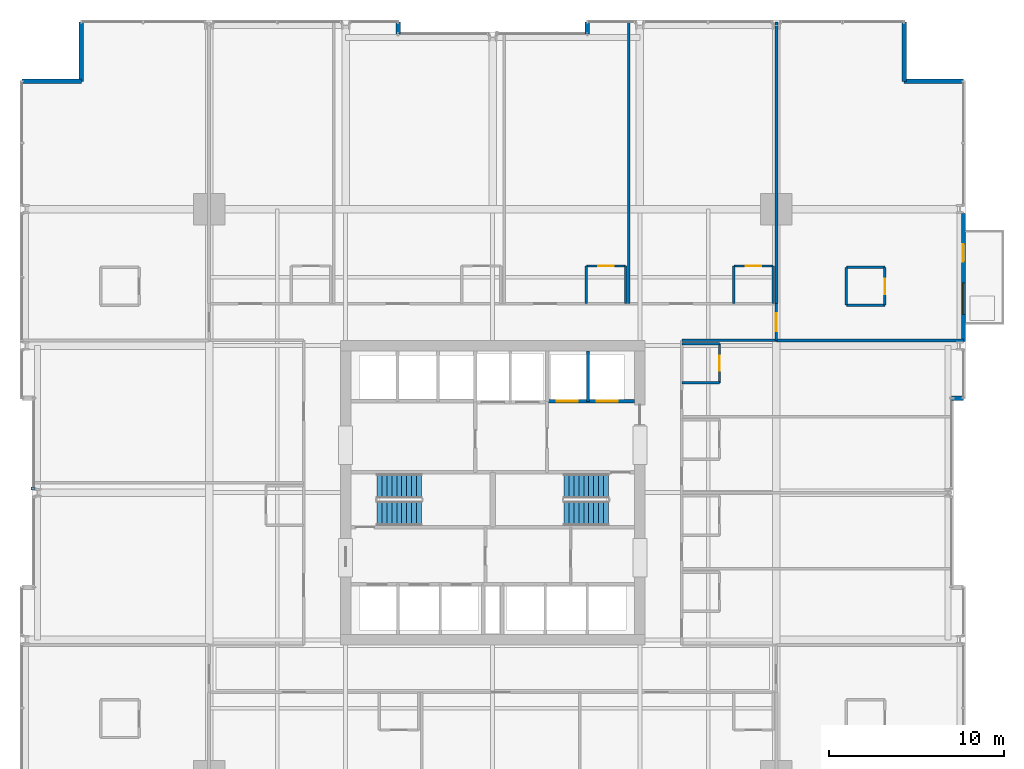
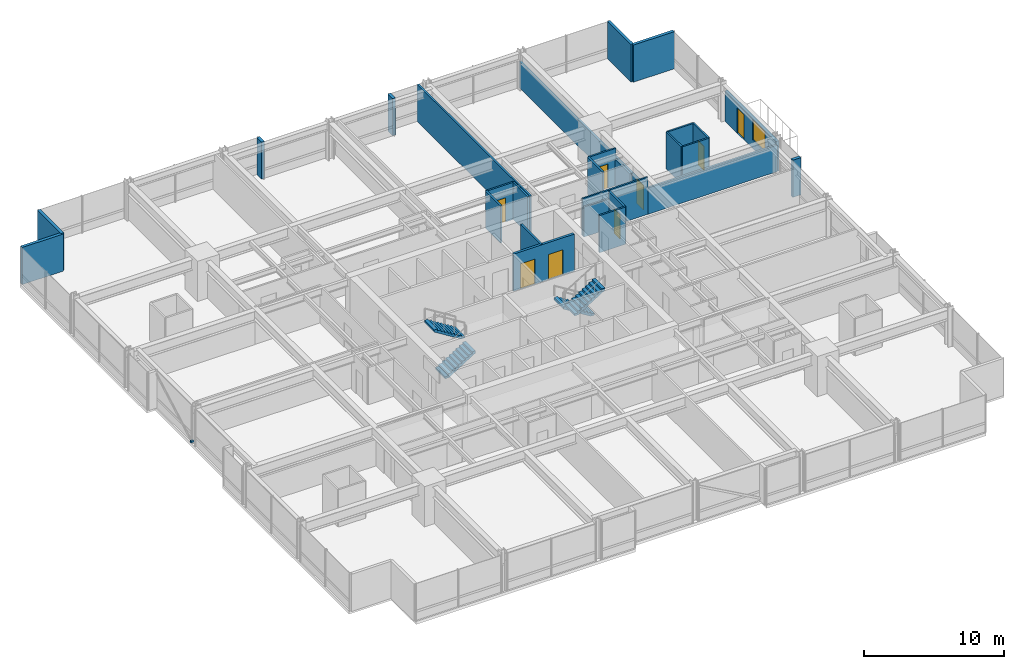
# One storey, part 33 of 37: 28 walls, 8 doors, 4 stair flights, 1 discrete accessory, 1 window, 9 openings, 2 elements without a shape of their own.
"""IFC4 building model written with IfcOpenShell, lengths in metres."""

import ifcopenshell
import ifcopenshell.guid

model = None  # the IFC model being written
_history = None  # IfcOwnerHistory: only IFC2X3 demands one
_inside = {}  # id of a spatial element -> (the spatial element, [elements in it])
_under = {}  # id of a project, library or spatial element -> (it, [spatial elements below it])
_declared = {}  # id of a project -> (the project, [libraries it declares])
_typed = {}  # id of a type object -> (the type object, [elements of that type])
_made_of = {}  # id of a material, layer set ... -> (it, [elements and type objects made of it])


def new_model(schema):
    """Start an empty IFC model of exactly this schema.

    Asked for "IFC4X3", IfcOpenShell would pick the latest addendum, in which some entities
    have other attributes; the version numbers below select the first issue.
    IFC2X3 requires an IfcOwnerHistory on every rooted entity: one is made here for all.
    """
    global model, _history
    if schema == "IFC4X3":
        model = ifcopenshell.file(schema_version=(4, 3, 0, 0))
    else:
        model = ifcopenshell.file(schema=schema)
    _inside.clear()
    _under.clear()
    _declared.clear()
    _typed.clear()
    _made_of.clear()
    _history = None
    if model.schema == "IFC2X3":
        org = make("IfcOrganization", Name="unknown")
        user = make(
            "IfcPersonAndOrganization",
            ThePerson=make("IfcPerson", FamilyName="unknown"),
            TheOrganization=org,
        )
        app = make(
            "IfcApplication",
            ApplicationDeveloper=org,
            Version="unknown",
            ApplicationFullName="unknown",
            ApplicationIdentifier="unknown",
        )
        _history = make(
            "IfcOwnerHistory",
            OwningUser=user,
            OwningApplication=app,
            ChangeAction="ADDED",
            CreationDate=0,
        )
    return model


def make(cls, **values):
    """One entity of the class cls with the attributes given. An attribute that is None is left unset."""
    return model.create_entity(
        cls, **{name: value for name, value in values.items() if value is not None}
    )


def rooted(cls, **values):
    """An entity with a GlobalId (a new one), such as an element, a storey or a relation."""
    return make(cls, GlobalId=ifcopenshell.guid.new(), OwnerHistory=_history, **values)


def si_unit(unit_type, name, prefix=None):
    """IfcSIUnit, for example si_unit("LENGTHUNIT", "METRE", prefix="MILLI")."""
    return make("IfcSIUnit", UnitType=unit_type, Prefix=prefix, Name=name)


def assignment(units):
    """IfcUnitAssignment: the units of a project."""
    return None if units is None else make("IfcUnitAssignment", Units=units)


def point(xyz):
    """IfcCartesianPoint."""
    return None if xyz is None else make("IfcCartesianPoint", Coordinates=xyz)


def direction(xyz):
    """IfcDirection."""
    return None if xyz is None else make("IfcDirection", DirectionRatios=xyz)


def frame(location, z_axis=None, x_axis=None):
    """IfcAxis2Placement3D, a coordinate frame: its origin and axes. An axis left out is left unset."""
    return make(
        "IfcAxis2Placement3D",
        Location=point(location),
        Axis=direction(z_axis),
        RefDirection=direction(x_axis),
    )


def frame_2d(location, x_axis=None):
    """IfcAxis2Placement2D, a coordinate frame in the plane: its origin and x axis."""
    return make(
        "IfcAxis2Placement2D", Location=point(location), RefDirection=direction(x_axis)
    )


def origin():
    """The frame at (0, 0, 0) with its axes left unset."""
    return frame((0.0, 0.0, 0.0))


def origin_2d():
    """The frame at (0, 0) in the plane with its x axis left unset."""
    return frame_2d((0.0, 0.0))


def place(relative_to, where):
    """IfcLocalPlacement: puts the frame where relative to a parent placement (None: the world)."""
    return make(
        "IfcLocalPlacement", PlacementRelTo=relative_to, RelativePlacement=where
    )


def context(
    kind, dimensions, precision=None, world=None, true_north=None, identifier=None
):
    """IfcGeometricRepresentationContext, for example the 3D "Model" context."""
    return make(
        "IfcGeometricRepresentationContext",
        ContextIdentifier=identifier,
        ContextType=kind,
        CoordinateSpaceDimension=dimensions,
        Precision=precision,
        WorldCoordinateSystem=world,
        TrueNorth=true_north,
    )


def subcontext(parent, identifier, kind, view, scale=None):
    """IfcGeometricRepresentationSubContext, for example "Body" below "Model"."""
    return make(
        "IfcGeometricRepresentationSubContext",
        ContextIdentifier=identifier,
        ContextType=kind,
        ParentContext=parent,
        TargetScale=scale,
        TargetView=view,
    )


def project(units=None, contexts=None):
    """IfcProject with its units and contexts."""
    return rooted(
        "IfcProject",
        Name="project",
        RepresentationContexts=contexts,
        UnitsInContext=assignment(units),
    )


def spatial(cls, under=None, at=None, **own):
    """A site, building, storey or space (cls), placed at a placement, below another one or the project."""
    s = rooted(cls, ObjectPlacement=at, **own)
    if under is not None:
        _under.setdefault(under.id(), (under, []))[1].append(s)
    return s


def polyline(points):
    """IfcPolyline through the points."""
    return make("IfcPolyline", Points=[point(p) for p in points])


def profile(cls, at=None, kind="AREA", **sizes):
    """A parametric profile (cls). Its sizes go by their IFC names, for example OverallWidth=200.0."""
    return make(cls, ProfileType=kind, Position=at, **sizes)


def rectangle(**sizes):
    """IfcRectangleProfileDef."""
    return profile("IfcRectangleProfileDef", **sizes)


def outline(outer, holes=None, kind="AREA"):
    """IfcArbitraryClosedProfileDef: a profile drawn as a closed curve; with holes, ...WithVoids."""
    if holes is None:
        return make("IfcArbitraryClosedProfileDef", ProfileType=kind, OuterCurve=outer)
    return make(
        "IfcArbitraryProfileDefWithVoids",
        ProfileType=kind,
        OuterCurve=outer,
        InnerCurves=holes,
    )


def extrude(swept, where, along, depth):
    """IfcExtrudedAreaSolid: the profile swept, set in the frame where, extruded along a direction by depth."""
    return make(
        "IfcExtrudedAreaSolid",
        SweptArea=swept,
        Position=where,
        ExtrudedDirection=direction(along),
        Depth=depth,
    )


def shape(context_of_items, identifier, shape_type, items):
    """IfcShapeRepresentation: the items that make up one representation, for example the "Body"."""
    return make(
        "IfcShapeRepresentation",
        ContextOfItems=context_of_items,
        RepresentationIdentifier=identifier,
        RepresentationType=shape_type,
        Items=items,
    )


def material(Name=None, Category=None):
    """IfcMaterial."""
    return make("IfcMaterial", Name=Name, Category=Category)


def layer(
    of_material, thickness, ventilated=None, Name=None, Category=None, Priority=None
):
    """IfcMaterialLayer: one layer of a wall or slab, of a material (None: an air gap)."""
    return make(
        "IfcMaterialLayer",
        Material=of_material,
        LayerThickness=thickness,
        IsVentilated=ventilated,
        Name=Name,
        Category=Category,
        Priority=Priority,
    )


def layer_set(layers, Name=None):
    """IfcMaterialLayerSet."""
    return make("IfcMaterialLayerSet", MaterialLayers=layers, LayerSetName=Name)


def made_of(thing, what):
    """Note that an element or type object is made of a material, layer set ...; save() writes the relation."""
    if what is not None:
        _made_of.setdefault(what.id(), (what, []))[1].append(thing)
    return thing


def type_object(cls, material=None, **own):
    """A type object (cls), such as IfcWallType, which elements share."""
    return made_of(rooted(cls, **own), material)


def element(
    cls,
    number,
    at=None,
    inside=None,
    cuts=None,
    type_object=None,
    material=None,
    context=None,
    identifier="Body",
    shape_type=None,
    held_by="IfcProductDefinitionShape",
    body=None,
    shapes=None,
    **own,
):
    """One element of the class cls, such as IfcWall. Its Tag is "e" and its number.

    at: its placement. inside: the storey or other place that contains it. cuts: it is an
    opening in that element (IfcRelVoidsElement). A single representation is given by context,
    identifier, shape_type and body (its items); several are given by shapes. held_by: the class
    of the entity that holds the representations. save() writes the other relations.
    """
    e = rooted(cls, Tag="e%d" % number, ObjectPlacement=at, **own)
    if body is not None:
        shapes = [shape(context, identifier, shape_type, body)]
    if shapes is not None:
        e.Representation = make(held_by, Representations=shapes)
    if inside is not None:
        _inside.setdefault(inside.id(), (inside, []))[1].append(e)
    if cuts is not None:
        rooted(
            "IfcRelVoidsElement", RelatingBuildingElement=cuts, RelatedOpeningElement=e
        )
    if type_object is not None:
        _typed.setdefault(type_object.id(), (type_object, []))[1].append(e)
    return made_of(e, material)


def fill(opening, filler):
    """IfcRelFillsElement: the door or window that sits in an opening."""
    return rooted(
        "IfcRelFillsElement",
        RelatingOpeningElement=opening,
        RelatedBuildingElement=filler,
    )


def aggregate(whole, parts):
    """IfcRelAggregates: a whole, such as a stair, and the parts it consists of."""
    return rooted("IfcRelAggregates", RelatingObject=whole, RelatedObjects=parts)


def save(model, path):
    """Write the relations noted so far, then the file.

    IfcRelAggregates (storeys below a building ...), IfcRelContainedInSpatialStructure (elements
    in a storey), IfcRelDefinesByType, IfcRelAssociatesMaterial and IfcRelDeclares: one each for
    every whole, place, type object, material and project.
    """
    for whole, parts in _under.values():
        aggregate(whole, parts)
    for where, things in _inside.values():
        rooted(
            "IfcRelContainedInSpatialStructure",
            RelatedElements=things,
            RelatingStructure=where,
        )
    for kind, things in _typed.values():
        rooted("IfcRelDefinesByType", RelatedObjects=things, RelatingType=kind)
    for what, things in _made_of.values():
        rooted("IfcRelAssociatesMaterial", RelatedObjects=things, RelatingMaterial=what)
    for by, libraries in _declared.values():
        rooted("IfcRelDeclares", RelatingContext=by, RelatedDefinitions=libraries)
    model.write(path)


model = new_model("IFC4")

# Units and contexts
model_context = context("Model", 3, precision=1e-05, world=origin(), true_north=direction((0.0, 1.0)))
body_context = subcontext(model_context, "Body", "Model", "MODEL_VIEW")
ifc_project = project(units=[si_unit("LENGTHUNIT", "METRE"), si_unit("AREAUNIT", "SQUARE_METRE"), si_unit("VOLUMEUNIT", "CUBIC_METRE"), si_unit("PLANEANGLEUNIT", "RADIAN"), si_unit("MASSUNIT", "GRAM", prefix="KILO")], contexts=[model_context])

# Site, building, storey
site_placement = place(None, origin())
site = spatial("IfcSite", under=ifc_project, at=site_placement, CompositionType="ELEMENT")
building_placement = place(site_placement, origin())
building = spatial("IfcBuilding", under=site, at=building_placement, Name="Drelvath Grand Hotel", CompositionType="ELEMENT")
storey_placement = place(building_placement, frame((0.0, 0.0, 43.699951171875)))
storey = spatial("IfcBuildingStorey", under=building, at=storey_placement, Name="L09", CompositionType="ELEMENT", Elevation=43.699951171875)

# Wall, openings, doors
ifc_material_1 = material(Name="Concrete C40/50", Category="concrete")
ifc_layer_1 = layer(ifc_material_1, 0.199951171875)
ifc_layer_set_1 = layer_set([ifc_layer_1], Name="Concrete C40/50")
wall_type_1 = type_object("IfcWallType", Name="Core Hoistway Fire Wall 200", PredefinedType="SOLIDWALL", material=ifc_layer_set_1)
wall_1_placement = place(storey_placement, frame((3.10009765625, 32.219970703125, 0.0), z_axis=(0.0, 0.0, 1.0), x_axis=(1.0, 0.0, 0.0)))
wall_1 = element("IfcWall", 1, at=wall_1_placement, inside=storey, type_object=wall_type_1, Name="L09 FSAE Hoistway Front Wall", PredefinedType="SOLIDWALL", context=body_context, shape_type="SweptSolid", body=[
    extrude(rectangle(XDim=5.0, YDim=0.199951171875, at=frame_2d((2.5, 0.0))), origin(), (0.0, 0.0, 1.0), 3.239990234375),
])
opening_1_placement = place(wall_1_placement, frame((0.550048828125, 0.0, 0.0)))
opening_1 = element("IfcOpeningElement", 2, at=opening_1_placement, cuts=wall_1, Name="Opening LD-FSAE-1", PredefinedType="OPENING", context=body_context, shape_type="SweptSolid", body=[
    extrude(rectangle(XDim=1.199951171875, YDim=2.199951171875, at=frame_2d((0.60009765625, 1.10009765625))), frame((0.0, 0.10986328125, 0.0), z_axis=(0.0, -1.0, 0.0), x_axis=(1.0, 0.0, 0.0)), (0.0, 0.0, 1.0), 0.219970703125),
])
opening_2_placement = place(wall_1_placement, frame((2.85009765625, 0.0, 0.0)))
opening_2 = element("IfcOpeningElement", 3, at=opening_2_placement, cuts=wall_1, Name="Opening LD-FSAE-2", PredefinedType="OPENING", context=body_context, shape_type="SweptSolid", body=[
    extrude(rectangle(XDim=1.199951171875, YDim=2.199951171875, at=frame_2d((0.60009765625, 1.10009765625))), frame((0.0, 0.10986328125, 0.0), z_axis=(0.0, -1.0, 0.0), x_axis=(1.0, 0.0, 0.0)), (0.0, 0.0, 1.0), 0.219970703125),
])
ifc_material_2 = material(Name="Stainless Steel S355", Category="steel")
door_type_1 = type_object("IfcDoorType", Name="FSAE Lift Sliding Landing Door 1200x2200", OperationType="NOTDEFINED", PredefinedType="DOOR", material=ifc_material_2)
door_1_placement = place(opening_1_placement, origin())
door_1 = element("IfcDoor", 4, at=door_1_placement, inside=storey, type_object=door_type_1, Name="L09 Lift FSAE-1 Landing Door", OperationType="SLIDING_TO_LEFT", OverallHeight=2.199951171875, OverallWidth=1.199951171875, PredefinedType="DOOR", context=body_context, shape_type="SweptSolid", body=[
    extrude(rectangle(XDim=1.199951171875, YDim=2.199951171875, at=frame_2d((0.60009765625, 1.10009765625))), frame((0.0, 0.02490234375, 0.0), z_axis=(0.0, -1.0, 0.0), x_axis=(1.0, 0.0, 0.0)), (0.0, 0.0, 1.0), 0.050048828125),
])
fill(opening_1, door_1)
door_2_placement = place(opening_2_placement, origin())
door_2 = element("IfcDoor", 5, at=door_2_placement, inside=storey, type_object=door_type_1, Name="L09 Lift FSAE-2 Landing Door", OperationType="SLIDING_TO_LEFT", OverallHeight=2.199951171875, OverallWidth=1.199951171875, PredefinedType="DOOR", context=body_context, shape_type="SweptSolid", body=[
    extrude(rectangle(XDim=1.199951171875, YDim=2.199951171875, at=frame_2d((0.60009765625, 1.10009765625))), frame((0.0, 0.02490234375, 0.0), z_axis=(0.0, -1.0, 0.0), x_axis=(1.0, 0.0, 0.0)), (0.0, 0.0, 1.0), 0.050048828125),
])
fill(opening_2, door_2)

# Walls
ifc_material_3 = material(Name="Gypsum Fireboard Partition")
ifc_layer_2 = layer(ifc_material_3, 0.1650390625)
ifc_layer_set_2 = layer_set([ifc_layer_2], Name="Gypsum Fireboard Partition")
wall_type_2 = type_object("IfcWallType", Name="Core Shaft Partition 165", PredefinedType="PARTITIONING", material=ifc_layer_set_2)
wall_2_placement = place(storey_placement, frame((5.449951171875, 32.219970703125, 0.0), z_axis=(0.0, 0.0, 1.0), x_axis=(0.0, 1.0, 0.0)))
element("IfcWall", 6, at=wall_2_placement, inside=storey, type_object=wall_type_2, Name="L09 FSAE Hoistway Divider", PredefinedType="PARTITIONING", context=body_context, shape_type="SweptSolid", body=[
    extrude(rectangle(XDim=2.880126953125, YDim=0.1650390625, at=frame_2d((1.43994140625, 0.0))), origin(), (0.0, 0.0, 1.0), 3.239990234375),
])
ifc_layer_3 = layer(ifc_material_3, 0.135009765625)
ifc_layer_set_3 = layer_set([ifc_layer_3], Name="Gypsum Fireboard Partition")
wall_type_3 = type_object("IfcWallType", Name="Corridor Fire Barrier Wall 135", PredefinedType="PARTITIONING", material=ifc_layer_set_3)
wall_3_placement = place(storey_placement, frame((10.800048828125, 35.699951171875, 0.0), z_axis=(0.0, 0.0, 1.0), x_axis=(1.0, 0.0, 0.0)))
element("IfcWall", 7, at=wall_3_placement, inside=storey, type_object=wall_type_3, Name="L09 NE Spur Inner Wall", PredefinedType="PARTITIONING", context=body_context, shape_type="SweptSolid", body=[
    extrude(rectangle(XDim=5.39990234375, YDim=0.135009765625, at=frame_2d((2.699951171875, 0.0))), origin(), (0.0, 0.0, 1.0), 3.239990234375),
])

# Wall, opening, door
wall_4_placement = place(storey_placement, frame((16.199951171875, 35.699951171875, 0.0), z_axis=(0.0, 0.0, 1.0), x_axis=(0.0, 1.0, 0.0)))
wall_4 = element("IfcWall", 8, at=wall_4_placement, inside=storey, type_object=wall_type_3, Name="L09 North Corridor East End", PredefinedType="PARTITIONING", context=body_context, shape_type="SweptSolid", body=[
    extrude(rectangle(XDim=2.10009765625, YDim=0.135009765625, at=frame_2d((1.050048828125, 0.0))), origin(), (0.0, 0.0, 1.0), 2.29833984375),
])
opening_3_placement = place(wall_4_placement, frame((0.52001953125, 0.0, 0.0)))
opening_3 = element("IfcOpeningElement", 9, at=opening_3_placement, cuts=wall_4, Name="Opening D-T1G2-023", PredefinedType="OPENING", context=body_context, shape_type="SweptSolid", body=[
    extrude(rectangle(XDim=1.02001953125, YDim=2.14990234375, at=frame_2d((0.510009765625, 1.074951171875))), frame((0.0, 0.077392578125, 0.0), z_axis=(0.0, -1.0, 0.0), x_axis=(1.0, 0.0, 0.0)), (0.0, 0.0, 1.0), 0.155029296875),
])
ifc_material_4 = material(Name="Hardwood Walnut Timber", Category="wood")
door_type_2 = type_object("IfcDoorType", Name="Amenity Meeting Fire Door 1020x2150", OperationType="NOTDEFINED", PredefinedType="DOOR", material=ifc_material_4)
door_3_placement = place(opening_3_placement, origin())
door_3 = element("IfcDoor", 10, at=door_3_placement, inside=storey, type_object=door_type_2, Name="L09 Corner Suite Entry Door", OperationType="SINGLE_SWING_RIGHT", OverallHeight=2.14990234375, OverallWidth=1.02001953125, PredefinedType="DOOR", context=body_context, shape_type="SweptSolid", body=[
    extrude(rectangle(XDim=1.02001953125, YDim=2.14990234375, at=frame_2d((0.510009765625, 1.074951171875))), frame((0.0, 0.02490234375, 0.0), z_axis=(0.0, -1.0, 0.0), x_axis=(1.0, 0.0, 0.0)), (0.0, 0.0, 1.0), 0.050048828125),
])
fill(opening_3, door_3)

# Walls
ifc_material_5 = material(Name="Moisture-Resistant Gypsum Board")
ifc_layer_4 = layer(ifc_material_5, 0.139892578125)
ifc_layer_set_4 = layer_set([ifc_layer_4], Name="Moisture-Resistant Gypsum Board")
wall_type_4 = type_object("IfcWallType", Name="En-Suite Plumbing Wall 140", PredefinedType="PLUMBINGWALL", material=ifc_layer_set_4)
for number, where, z_axis, x_axis, name in (
    (11, (20.199951171875, 37.719970703125, 0.0), (0.0, 0.0, 1.0), (1.0, 0.0, 0.0), "L09 Corner En-Suite South"),
    (12, (20.199951171875, 39.8701171875, 0.0), (0.0, 0.0, 1.0), (1.0, 0.0, 0.0), "L09 Corner En-Suite North"),
):
    element("IfcWall", number, at=place(storey_placement, frame(where, z_axis=z_axis, x_axis=x_axis)), inside=storey, type_object=wall_type_4, Name=name, PredefinedType="PLUMBINGWALL", context=body_context, shape_type="SweptSolid", body=[
        extrude(rectangle(XDim=2.199951171875, YDim=0.139892578125, at=frame_2d((1.10009765625, 0.0))), origin(), (0.0, 0.0, 1.0), 3.239990234375),
    ])
wall_5_placement = place(storey_placement, frame((20.199951171875, 37.719970703125, 0.0), z_axis=(0.0, 0.0, 1.0), x_axis=(0.0, 1.0, 0.0)))
element("IfcWall", 13, at=wall_5_placement, inside=storey, type_object=wall_type_4, Name="L09 Corner En-Suite West", PredefinedType="PLUMBINGWALL", context=body_context, shape_type="SweptSolid", body=[
    extrude(rectangle(XDim=2.150146484375, YDim=0.139892578125, at=frame_2d((1.0751953125, 0.0))), origin(), (0.0, 0.0, 1.0), 3.239990234375),
])

# Wall, opening, door
wall_6_placement = place(storey_placement, frame((22.39990234375, 37.719970703125, 0.0), z_axis=(0.0, 0.0, 1.0), x_axis=(0.0, 1.0, 0.0)))
wall_6 = element("IfcWall", 14, at=wall_6_placement, inside=storey, type_object=wall_type_4, Name="L09 Corner En-Suite East", PredefinedType="PLUMBINGWALL", context=body_context, shape_type="SweptSolid", body=[
    extrude(rectangle(XDim=2.150146484375, YDim=0.139892578125, at=frame_2d((1.0751953125, 0.0))), origin(), (0.0, 0.0, 1.0), 3.239990234375),
])
opening_4_placement = place(wall_6_placement, frame((0.6201171875, 0.0, 0.0)))
opening_4 = element("IfcOpeningElement", 15, at=opening_4_placement, cuts=wall_6, Name="Opening D-T1G2-022", PredefinedType="OPENING", context=body_context, shape_type="SweptSolid", body=[
    extrude(rectangle(XDim=0.8798828125, YDim=2.10009765625, at=frame_2d((0.43994140625, 1.050048828125))), frame((0.0, 0.079833984375, 0.0), z_axis=(0.0, -1.0, 0.0), x_axis=(1.0, 0.0, 0.0)), (0.0, 0.0, 1.0), 0.159912109375),
])
door_type_3 = type_object("IfcDoorType", Name="En-Suite Bathroom Door 880x2100", OperationType="NOTDEFINED", PredefinedType="DOOR", material=ifc_material_4)
door_4_placement = place(opening_4_placement, origin())
door_4 = element("IfcDoor", 16, at=door_4_placement, inside=storey, type_object=door_type_3, Name="L09 Corner En-Suite Door", OperationType="SINGLE_SWING_LEFT", OverallHeight=2.10009765625, OverallWidth=0.8798828125, PredefinedType="DOOR", context=body_context, shape_type="SweptSolid", body=[
    extrude(rectangle(XDim=0.8798828125, YDim=2.10009765625, at=frame_2d((0.43994140625, 1.050048828125))), frame((0.0, 0.02490234375, 0.0), z_axis=(0.0, -1.0, 0.0), x_axis=(1.0, 0.0, 0.0)), (0.0, 0.0, 1.0), 0.050048828125),
])
fill(opening_4, door_4)

# Walls
for number, where, z_axis, x_axis, name in (
    (17, (5.345947265625, 37.800048828125, 0.0), (0.0, 0.0, 1.0), (0.0, 1.0, 0.0), "L09 En-Suite Left Wall"),
    (18, (7.595947265625, 37.800048828125, 0.0), (0.0, 0.0, 1.0), (0.0, 1.0, 0.0), "L09 En-Suite Right Wall"),
):
    element("IfcWall", number, at=place(storey_placement, frame(where, z_axis=z_axis, x_axis=x_axis)), inside=storey, type_object=wall_type_4, Name=name, PredefinedType="PLUMBINGWALL", context=body_context, shape_type="SweptSolid", body=[
        extrude(rectangle(XDim=2.14990234375, YDim=0.139892578125, at=frame_2d((1.074951171875, 0.0))), origin(), (0.0, 0.0, 1.0), 3.239990234375),
    ])

# Wall, opening, door
wall_7_placement = place(storey_placement, frame((5.345947265625, 39.949951171875, 0.0), z_axis=(0.0, 0.0, 1.0), x_axis=(1.0, 0.0, 0.0)))
wall_7 = element("IfcWall", 19, at=wall_7_placement, inside=storey, type_object=wall_type_4, Name="L09 En-Suite Front Wall", PredefinedType="PLUMBINGWALL", context=body_context, shape_type="SweptSolid", body=[
    extrude(rectangle(XDim=2.25, YDim=0.139892578125, at=frame_2d((1.125, 0.0))), origin(), (0.0, 0.0, 1.0), 3.239990234375),
])
opening_5_placement = place(wall_7_placement, frame((0.68505859375, 0.0, 0.0)))
opening_5 = element("IfcOpeningElement", 20, at=opening_5_placement, cuts=wall_7, Name="Opening D-T1G2-033", PredefinedType="OPENING", context=body_context, shape_type="SweptSolid", body=[
    extrude(rectangle(XDim=0.8798828125, YDim=2.10009765625, at=frame_2d((0.43994140625, 1.050048828125))), frame((0.0, 0.079833984375, 0.0), z_axis=(0.0, -1.0, 0.0), x_axis=(1.0, 0.0, 0.0)), (0.0, 0.0, 1.0), 0.159912109375),
])
door_5_placement = place(opening_5_placement, origin())
door_5 = element("IfcDoor", 21, at=door_5_placement, inside=storey, type_object=door_type_3, Name="L09 En-Suite Bathroom Door", OperationType="SINGLE_SWING_RIGHT", OverallHeight=2.10009765625, OverallWidth=0.8798828125, PredefinedType="DOOR", context=body_context, shape_type="SweptSolid", body=[
    extrude(rectangle(XDim=0.8798828125, YDim=2.10009765625, at=frame_2d((0.43994140625, 1.050048828125))), frame((0.0, 0.02490234375, 0.0), z_axis=(0.0, -1.0, 0.0), x_axis=(1.0, 0.0, 0.0)), (0.0, 0.0, 1.0), 0.050048828125),
])
fill(opening_5, door_5)

# Walls
wall_8_placement = place(storey_placement, frame((13.77001953125, 37.800048828125, 0.0), z_axis=(0.0, 0.0, 1.0), x_axis=(0.0, 1.0, 0.0)))
element("IfcWall", 22, at=wall_8_placement, inside=storey, type_object=wall_type_4, Name="L09 En-Suite Left Wall", PredefinedType="PLUMBINGWALL", context=body_context, shape_type="SweptSolid", body=[
    extrude(rectangle(XDim=2.14990234375, YDim=0.139892578125, at=frame_2d((1.074951171875, 0.0))), origin(), (0.0, 0.0, 1.0), 3.239990234375),
])
wall_9_placement = place(storey_placement, frame((16.02001953125, 37.800048828125, 0.0), z_axis=(0.0, 0.0, 1.0), x_axis=(0.0, 1.0, 0.0)))
element("IfcWall", 23, at=wall_9_placement, inside=storey, type_object=wall_type_4, Name="L09 En-Suite Right Wall", PredefinedType="PLUMBINGWALL", context=body_context, shape_type="SweptSolid", body=[
    extrude(rectangle(XDim=2.14990234375, YDim=0.139892578125, at=frame_2d((1.074951171875, 0.0))), origin(), (0.0, 0.0, 1.0), 2.29833984375),
])

# Wall, opening, door
wall_10_placement = place(storey_placement, frame((13.77001953125, 39.949951171875, 0.0), z_axis=(0.0, 0.0, 1.0), x_axis=(1.0, 0.0, 0.0)))
wall_10 = element("IfcWall", 24, at=wall_10_placement, inside=storey, type_object=wall_type_4, Name="L09 En-Suite Front Wall", PredefinedType="PLUMBINGWALL", context=body_context, shape_type="SweptSolid", body=[
    extrude(rectangle(XDim=2.25, YDim=0.139892578125, at=frame_2d((1.125, 0.0))), origin(), (0.0, 0.0, 1.0), 3.239990234375),
])
opening_6_placement = place(wall_10_placement, frame((0.68505859375, 0.0, 0.0)))
opening_6 = element("IfcOpeningElement", 25, at=opening_6_placement, cuts=wall_10, Name="Opening D-T1G2-035", PredefinedType="OPENING", context=body_context, shape_type="SweptSolid", body=[
    extrude(rectangle(XDim=0.8798828125, YDim=2.10009765625, at=frame_2d((0.43994140625, 1.050048828125))), frame((0.0, 0.079833984375, 0.0), z_axis=(0.0, -1.0, 0.0), x_axis=(1.0, 0.0, 0.0)), (0.0, 0.0, 1.0), 0.159912109375),
])
door_6_placement = place(opening_6_placement, origin())
door_6 = element("IfcDoor", 26, at=door_6_placement, inside=storey, type_object=door_type_3, Name="L09 En-Suite Bathroom Door", OperationType="SINGLE_SWING_RIGHT", OverallHeight=2.10009765625, OverallWidth=0.8798828125, PredefinedType="DOOR", context=body_context, shape_type="SweptSolid", body=[
    extrude(rectangle(XDim=0.8798828125, YDim=2.10009765625, at=frame_2d((0.43994140625, 1.050048828125))), frame((0.0, 0.02490234375, 0.0), z_axis=(0.0, -1.0, 0.0), x_axis=(1.0, 0.0, 0.0)), (0.0, 0.0, 1.0), 0.050048828125),
])
fill(opening_6, door_6)

# Walls
wall_11_placement = place(storey_placement, frame((10.800048828125, 33.27001953125, 0.0), z_axis=(0.0, 0.0, 1.0), x_axis=(1.0, 0.0, 0.0)))
element("IfcWall", 27, at=wall_11_placement, inside=storey, type_object=wall_type_4, Name="L09 En-Suite Left Wall", PredefinedType="PLUMBINGWALL", context=body_context, shape_type="SweptSolid", body=[
    extrude(rectangle(XDim=2.14990234375, YDim=0.139892578125, at=frame_2d((1.074951171875, 0.0))), origin(), (0.0, 0.0, 1.0), 3.239990234375),
])
wall_12_placement = place(storey_placement, frame((10.800048828125, 35.52001953125, 0.0), z_axis=(0.0, 0.0, 1.0), x_axis=(1.0, 0.0, 0.0)))
element("IfcWall", 28, at=wall_12_placement, inside=storey, type_object=wall_type_4, Name="L09 En-Suite Right Wall", PredefinedType="PLUMBINGWALL", context=body_context, shape_type="SweptSolid", body=[
    extrude(rectangle(XDim=2.14990234375, YDim=0.139892578125, at=frame_2d((1.074951171875, 0.0))), origin(), (0.0, 0.0, 1.0), 2.617431640625),
])

# Wall, opening, door
wall_13_placement = place(storey_placement, frame((12.949951171875, 33.27001953125, 0.0), z_axis=(0.0, 0.0, 1.0), x_axis=(0.0, 1.0, 0.0)))
wall_13 = element("IfcWall", 29, at=wall_13_placement, inside=storey, type_object=wall_type_4, Name="L09 En-Suite Front Wall", PredefinedType="PLUMBINGWALL", context=body_context, shape_type="SweptSolid", body=[
    extrude(rectangle(XDim=2.25, YDim=0.139892578125, at=frame_2d((1.125, 0.0))), origin(), (0.0, 0.0, 1.0), 3.239990234375),
])
opening_7_placement = place(wall_13_placement, frame((0.68505859375, 0.0, 0.0)))
opening_7 = element("IfcOpeningElement", 30, at=opening_7_placement, cuts=wall_13, Name="Opening D-T1G2-046", PredefinedType="OPENING", context=body_context, shape_type="SweptSolid", body=[
    extrude(rectangle(XDim=0.8798828125, YDim=2.10009765625, at=frame_2d((0.43994140625, 1.050048828125))), frame((0.0, 0.079833984375, 0.0), z_axis=(0.0, -1.0, 0.0), x_axis=(1.0, 0.0, 0.0)), (0.0, 0.0, 1.0), 0.159912109375),
])
door_7_placement = place(opening_7_placement, origin())
door_7 = element("IfcDoor", 31, at=door_7_placement, inside=storey, type_object=door_type_3, Name="L09 En-Suite Bathroom Door", OperationType="SINGLE_SWING_LEFT", OverallHeight=2.10009765625, OverallWidth=0.8798828125, PredefinedType="DOOR", context=body_context, shape_type="SweptSolid", body=[
    extrude(rectangle(XDim=0.8798828125, YDim=2.10009765625, at=frame_2d((0.43994140625, 1.050048828125))), frame((0.0, 0.02490234375, 0.0), z_axis=(0.0, -1.0, 0.0), x_axis=(1.0, 0.0, 0.0)), (0.0, 0.0, 1.0), 0.050048828125),
])
fill(opening_7, door_7)

# Walls
ifc_material_6 = material(Name="Gypsum Acoustic Partition")
ifc_layer_5 = layer(ifc_material_6, 0.14990234375)
ifc_layer_set_5 = layer_set([ifc_layer_5], Name="Gypsum Acoustic Partition")
wall_type_5 = type_object("IfcWallType", Name="Guestroom Demising Wall 150", PredefinedType="PARTITIONING", material=ifc_layer_set_5)
wall_14_placement = place(storey_placement, frame((7.77587890625, 37.800048828125, 0.0), z_axis=(0.0, 0.0, 1.0), x_axis=(0.0, 1.0, 0.0)))
element("IfcWall", 32, at=wall_14_placement, inside=storey, type_object=wall_type_5, Name="L09 North Demising 3", PredefinedType="PARTITIONING", context=body_context, shape_type="SweptSolid", body=[
    extrude(rectangle(XDim=16.079833984375, YDim=0.14990234375, at=frame_2d((8.0400390625, 0.0))), origin(), (0.0, 0.0, 1.0), 3.239990234375),
])
ifc_layer_6 = layer(ifc_material_6, 0.1650390625)
ifc_layer_set_6 = layer_set([ifc_layer_6], Name="Gypsum Acoustic Partition")
wall_type_6 = type_object("IfcWallType", Name="Suite Demising Wall 165", PredefinedType="PARTITIONING", material=ifc_layer_set_6)
wall_15_placement = place(storey_placement, frame((16.199951171875, 37.800048828125, 0.0), z_axis=(0.0, 0.0, 1.0), x_axis=(0.0, 1.0, 0.0)))
element("IfcWall", 33, at=wall_15_placement, inside=storey, type_object=wall_type_6, Name="L09 NE Wing Boundary Wall", PredefinedType="PARTITIONING", context=body_context, shape_type="SweptSolid", body=[
    extrude(rectangle(XDim=16.079833984375, YDim=0.1650390625, at=frame_2d((8.0400390625, 0.0))), origin(), (0.0, 0.0, 1.0), 2.29833984375),
])
wall_16_placement = place(storey_placement, frame((16.199951171875, 35.699951171875, 0.0), z_axis=(0.0, 0.0, 1.0), x_axis=(1.0, 0.0, 0.0)))
element("IfcWall", 34, at=wall_16_placement, inside=storey, type_object=wall_type_6, Name="L09 NE Corner South Wall", PredefinedType="PARTITIONING", context=body_context, shape_type="SweptSolid", body=[
    extrude(rectangle(XDim=10.679931640625, YDim=0.1650390625, at=frame_2d((5.33984375, 0.0))), origin(), (0.0, 0.0, 1.0), 2.29833984375),
])

# Wall, openings, window, door
ifc_material_7 = material(Name="Pale-Metal Insulated Aluminium Spandrel Assembly", Category="aluminium")
ifc_layer_7 = layer(ifc_material_7, 0.239990234375)
ifc_layer_set_7 = layer_set([ifc_layer_7], Name="Pale-Metal Insulated Aluminium Spandrel Assembly")
wall_type_7 = type_object("IfcWallType", Name="Tower Insulated Metal Spandrel Closure Wall 240", PredefinedType="STANDARD", material=ifc_layer_set_7)
wall_17_placement = place(storey_placement, frame((26.8798828125, 42.958984375, 0.0), z_axis=(0.0, 0.0, 1.0), x_axis=(0.0, -1.0, 0.0)))
wall_17 = element("IfcWall", 35, at=wall_17_placement, inside=storey, type_object=wall_type_7, Name="L09 Exterior Terrace Door Bay Wall EN2", PredefinedType="STANDARD", context=body_context, shape_type="SweptSolid", body=[
    extrude(rectangle(XDim=7.318115234375, YDim=0.239990234375, at=frame_2d((3.6591796875, 0.0))), origin(), (0.0, 0.0, 1.0), 2.629150390625),
])
opening_8_placement = place(wall_17_placement, frame((1.759033203125, 0.0, 0.0)))
opening_8 = element("IfcOpeningElement", 36, at=opening_8_placement, cuts=wall_17, Name="Opening TD-1000", PredefinedType="OPENING", context=body_context, shape_type="SweptSolid", body=[
    extrude(rectangle(XDim=1.0, YDim=2.199951171875, at=frame_2d((0.5, 1.10009765625))), frame((0.0, 0.1298828125, 0.0), z_axis=(0.0, -1.0, 0.0), x_axis=(1.0, 0.0, 0.0)), (0.0, 0.0, 1.0), 0.260009765625),
])
opening_9_placement = place(wall_17_placement, frame((3.9658203125, 0.0, 0.75)))
opening_9 = element("IfcOpeningElement", 37, at=opening_9_placement, cuts=wall_17, Name="Opening W-02", PredefinedType="OPENING", context=body_context, shape_type="SweptSolid", body=[
    extrude(rectangle(XDim=1.800048828125, YDim=1.779052734375, at=frame_2d((0.89990234375, 0.8896484375))), frame((0.0, 0.1298828125, 0.0), z_axis=(0.0, -1.0, 0.0), x_axis=(1.0, 0.0, 0.0)), (0.0, 0.0, 1.0), 0.260009765625),
])
ifc_material_8 = material(Name="Bronze Anodised Low-E Triple Glazing", Category="glass")
window_type = type_object("IfcWindowType", Name="Chicago Double-Pane Podium Window 1800x2400", PartitioningType="DOUBLE_PANEL_VERTICAL", PredefinedType="WINDOW", material=ifc_material_8)
window_placement = place(opening_9_placement, origin())
window = element("IfcWindow", 38, at=window_placement, inside=storey, type_object=window_type, Name="L09 Terrace Bay Companion Window EN2", OverallHeight=1.779052734375, OverallWidth=1.800048828125, PartitioningType="SINGLE_PANEL", PredefinedType="WINDOW", context=body_context, shape_type="SweptSolid", body=[
    extrude(rectangle(XDim=1.800048828125, YDim=1.779052734375, at=frame_2d((0.89990234375, 0.8896484375))), frame((0.0, 0.030029296875, 0.0), z_axis=(0.0, -1.0, 0.0), x_axis=(1.0, 0.0, 0.0)), (0.0, 0.0, 1.0), 0.06005859375),
])
fill(opening_9, window)
ifc_material_9 = material(Name="Anodised Aluminium Thermally Broken Glazed Door", Category="aluminium")
door_type_4 = type_object("IfcDoorType", Name="Terrace and Tree Balcony Glazed Door 1000x2200", OperationType="NOTDEFINED", PredefinedType="DOOR", material=ifc_material_9)
door_8_placement = place(opening_8_placement, origin())
door_8 = element("IfcDoor", 39, at=door_8_placement, inside=storey, type_object=door_type_4, Name="L09 Tree Balcony Door DOOR-L09-TBAL-1", OperationType="SINGLE_SWING_RIGHT", OverallHeight=2.199951171875, OverallWidth=1.0, PredefinedType="DOOR", context=body_context, shape_type="SweptSolid", body=[
    extrude(rectangle(XDim=1.0, YDim=2.199951171875, at=frame_2d((0.5, 1.10009765625))), frame((0.0, 0.02490234375, 0.0), z_axis=(0.0, -1.0, 0.0), x_axis=(1.0, 0.0, 0.0)), (0.0, 0.0, 1.0), 0.050048828125),
])
fill(opening_8, door_8)

# Walls
for number, where, z_axis, x_axis, name in (
    (40, (-26.8798828125, 50.5, 0.0), (0.0, 0.0, 1.0), (1.0, 0.0, 0.0), "L09 Notched Corner Return Spandrel Wall CNW1"),
    (41, (-23.5, 50.5, 0.0), (0.0, 0.0, 1.0), (0.0, 1.0, 0.0), "L09 Notched Corner Return Spandrel Wall CNW2"),
    (42, (23.5, 53.8798828125, 0.0), (0.0, 0.0, 1.0), (0.0, -1.0, 0.0), "L09 Notched Corner Return Spandrel Wall CNE1"),
    (43, (23.5, 50.5, 0.0), (0.0, 0.0, 1.0), (1.0, 0.0, 0.0), "L09 Notched Corner Return Spandrel Wall CNE2"),
):
    element("IfcWall", number, at=place(storey_placement, frame(where, z_axis=z_axis, x_axis=x_axis)), inside=storey, type_object=wall_type_7, Name=name, PredefinedType="STANDARD", context=body_context, shape_type="SweptSolid", body=[
        extrude(rectangle(XDim=3.3798828125, YDim=0.239990234375, at=frame_2d((1.68994140625, 0.0))), origin(), (0.0, 0.0, 1.0), 3.239990234375),
    ])
for number, where, z_axis, x_axis, name in (
    (44, (26.8798828125, 32.39990234375, 0.0), (0.0, 0.0, 1.0), (-1.0, 0.0, 0.0), "L09 Notched Corner Return Spandrel Wall RE1"),
    (45, (-5.39990234375, 53.8798828125, 0.0), (0.0, 0.0, 1.0), (0.0, -1.0, 0.0), "L09 Notched Corner Return Spandrel Wall RN1"),
    (46, (5.39990234375, 53.199951171875, 0.0), (0.0, 0.0, 1.0), (0.0, 1.0, 0.0), "L09 Notched Corner Return Spandrel Wall RN2"),
):
    element("IfcWall", number, at=place(storey_placement, frame(where, z_axis=z_axis, x_axis=x_axis)), inside=storey, type_object=wall_type_7, Name=name, PredefinedType="STANDARD", context=body_context, shape_type="SweptSolid", body=[
        extrude(rectangle(XDim=0.679931640625, YDim=0.239990234375, at=frame_2d((0.33984375, 0.0))), origin(), (0.0, 0.0, 1.0), 3.239990234375),
    ])

# Stair, stair flights
stair_type = type_object("IfcStairType", Name="Dogleg Exit Stair W1400-R175.0", PredefinedType="HALF_TURN_STAIR", material=ifc_material_1)
stair_1_placement = place(storey_placement, origin())
stair_1 = element("IfcStair", 47, at=stair_1_placement, inside=storey, type_object=stair_type, Name="L09 Core Exit Stair ST-1", PredefinedType="HALF_TURN_STAIR")
stair_flight_type = type_object("IfcStairFlightType", Name="Concrete Stair Flight W1400-R175.0", PredefinedType="STRAIGHT", material=ifc_material_1)
stair_flight_1_placement = place(storey_placement, frame((-6.60009765625, 25.820068359375, 0.0), z_axis=(0.0, 0.0, 1.0), x_axis=(1.0, 0.0, 0.0)))
stair_flight_1 = element("IfcStairFlight", 48, at=stair_flight_1_placement, type_object=stair_flight_type, Name="ST-1 flight 1", NumberOfRisers=10, NumberOfTreads=9, PredefinedType="STRAIGHT", RiserHeight=0.175, TreadLength=0.28, context=body_context, shape_type="SweptSolid", body=[
    extrude(outline(polyline([(0.0, 0.0), (0.0, 0.175048828125), (0.280029296875, 0.175048828125), (0.280029296875, 0.35009765625), (0.56005859375, 0.35009765625), (0.56005859375, 0.52490234375), (0.840087890625, 0.52490234375), (0.840087890625, 0.699951171875), (1.1201171875, 0.699951171875), (1.1201171875, 0.875), (1.39990234375, 0.875), (1.39990234375, 1.050048828125), (1.679931640625, 1.050048828125), (1.679931640625, 1.22509765625), (1.9599609375, 1.22509765625), (1.9599609375, 1.39990234375), (2.239990234375, 1.39990234375), (2.239990234375, 1.574951171875), (2.52001953125, 1.574951171875), (2.52001953125, 1.75), (2.52001953125, 1.386474609375), (0.3017578125, 0.0), (0.0, 0.0)])), frame((0.0, 0.699951171875, 0.0), z_axis=(0.0, -1.0, 0.0), x_axis=(1.0, 0.0, 0.0)), (0.0, 0.0, 1.0), 1.39990234375),
])
stair_flight_2_placement = place(storey_placement, frame((-4.080078125, 27.3798828125, 1.75), z_axis=(0.0, 0.0, 1.0), x_axis=(-1.0, 0.0, 0.0)))
stair_flight_2 = element("IfcStairFlight", 49, at=stair_flight_2_placement, type_object=stair_flight_type, Name="ST-1 flight 2", NumberOfRisers=10, NumberOfTreads=9, PredefinedType="STRAIGHT", RiserHeight=0.175, TreadLength=0.28, context=body_context, shape_type="SweptSolid", body=[
    extrude(outline(polyline([(0.0, 0.0), (0.0, 0.175048828125), (0.280029296875, 0.175048828125), (0.280029296875, 0.35009765625), (0.56005859375, 0.35009765625), (0.56005859375, 0.52490234375), (0.840087890625, 0.52490234375), (0.840087890625, 0.699951171875), (1.1201171875, 0.699951171875), (1.1201171875, 0.875), (1.39990234375, 0.875), (1.39990234375, 1.050048828125), (1.679931640625, 1.050048828125), (1.679931640625, 1.22509765625), (1.9599609375, 1.22509765625), (1.9599609375, 1.39990234375), (2.239990234375, 1.39990234375), (2.239990234375, 1.574951171875), (2.52001953125, 1.574951171875), (2.52001953125, 1.75), (2.52001953125, 1.386474609375), (0.3017578125, 0.0), (0.0, 0.0)])), frame((0.0, 0.699951171875, 0.0), z_axis=(0.0, -1.0, 0.0), x_axis=(1.0, 0.0, 0.0)), (0.0, 0.0, 1.0), 1.39990234375),
])
aggregate(stair_1, [stair_flight_1, stair_flight_2])

stair_2_placement = place(storey_placement, origin())
stair_2 = element("IfcStair", 50, at=stair_2_placement, inside=storey, type_object=stair_type, Name="L09 Core Exit Stair ST-2", PredefinedType="HALF_TURN_STAIR")
stair_flight_3_placement = place(storey_placement, frame((6.60009765625, 27.3798828125, 0.0), z_axis=(0.0, 0.0, 1.0), x_axis=(-1.0, 0.0, 0.0)))
stair_flight_3 = element("IfcStairFlight", 51, at=stair_flight_3_placement, type_object=stair_flight_type, Name="ST-2 flight 1", NumberOfRisers=10, NumberOfTreads=9, PredefinedType="STRAIGHT", RiserHeight=0.175, TreadLength=0.28, context=body_context, shape_type="SweptSolid", body=[
    extrude(outline(polyline([(0.0, 0.0), (0.0, 0.175048828125), (0.280029296875, 0.175048828125), (0.280029296875, 0.35009765625), (0.56005859375, 0.35009765625), (0.56005859375, 0.52490234375), (0.840087890625, 0.52490234375), (0.840087890625, 0.699951171875), (1.1201171875, 0.699951171875), (1.1201171875, 0.875), (1.39990234375, 0.875), (1.39990234375, 1.050048828125), (1.679931640625, 1.050048828125), (1.679931640625, 1.22509765625), (1.9599609375, 1.22509765625), (1.9599609375, 1.39990234375), (2.239990234375, 1.39990234375), (2.239990234375, 1.574951171875), (2.52001953125, 1.574951171875), (2.52001953125, 1.75), (2.52001953125, 1.386474609375), (0.3017578125, 0.0), (0.0, 0.0)])), frame((0.0, 0.699951171875, 0.0), z_axis=(0.0, -1.0, 0.0), x_axis=(1.0, 0.0, 0.0)), (0.0, 0.0, 1.0), 1.39990234375),
])
stair_flight_4_placement = place(storey_placement, frame((4.080078125, 25.820068359375, 1.75), z_axis=(0.0, 0.0, 1.0), x_axis=(1.0, 0.0, 0.0)))
stair_flight_4 = element("IfcStairFlight", 52, at=stair_flight_4_placement, type_object=stair_flight_type, Name="ST-2 flight 2", NumberOfRisers=10, NumberOfTreads=9, PredefinedType="STRAIGHT", RiserHeight=0.175, TreadLength=0.28, context=body_context, shape_type="SweptSolid", body=[
    extrude(outline(polyline([(0.0, 0.0), (0.0, 0.175048828125), (0.280029296875, 0.175048828125), (0.280029296875, 0.35009765625), (0.56005859375, 0.35009765625), (0.56005859375, 0.52490234375), (0.840087890625, 0.52490234375), (0.840087890625, 0.699951171875), (1.1201171875, 0.699951171875), (1.1201171875, 0.875), (1.39990234375, 0.875), (1.39990234375, 1.050048828125), (1.679931640625, 1.050048828125), (1.679931640625, 1.22509765625), (1.9599609375, 1.22509765625), (1.9599609375, 1.39990234375), (2.239990234375, 1.39990234375), (2.239990234375, 1.574951171875), (2.52001953125, 1.574951171875), (2.52001953125, 1.75), (2.52001953125, 1.386474609375), (0.3017578125, 0.0), (0.0, 0.0)])), frame((0.0, 0.699951171875, 0.0), z_axis=(0.0, -1.0, 0.0), x_axis=(1.0, 0.0, 0.0)), (0.0, 0.0, 1.0), 1.39990234375),
])
aggregate(stair_2, [stair_flight_3, stair_flight_4])

# Discrete accessory
ifc_material_10 = material(Name="Stainless Steel Grade 316", Category="steel")
discrete_accessory_type = type_object("IfcDiscreteAccessoryType", Name="Curtain Wall Fin Mounting Bracket Cleat", PredefinedType="BRACKET", material=ifc_material_10)
discrete_accessory_placement = place(storey_placement, frame((-26.260009765625, 27.240966796875, 0.10009765625), z_axis=(0.0, 0.0, 1.0), x_axis=(0.0, 1.0, 0.0)))
element("IfcDiscreteAccessory", 53, at=discrete_accessory_placement, inside=storey, type_object=discrete_accessory_type, Name="L09 Fin Mounting Bracket CW02-L09-WM2-1", PredefinedType="BRACKET", context=body_context, shape_type="SweptSolid", body=[
    extrude(rectangle(XDim=0.159912109375, YDim=0.239990234375, at=origin_2d()), origin(), (0.0, 0.0, 1.0), 0.159912109375),
])

save(model, "model.ifc")
